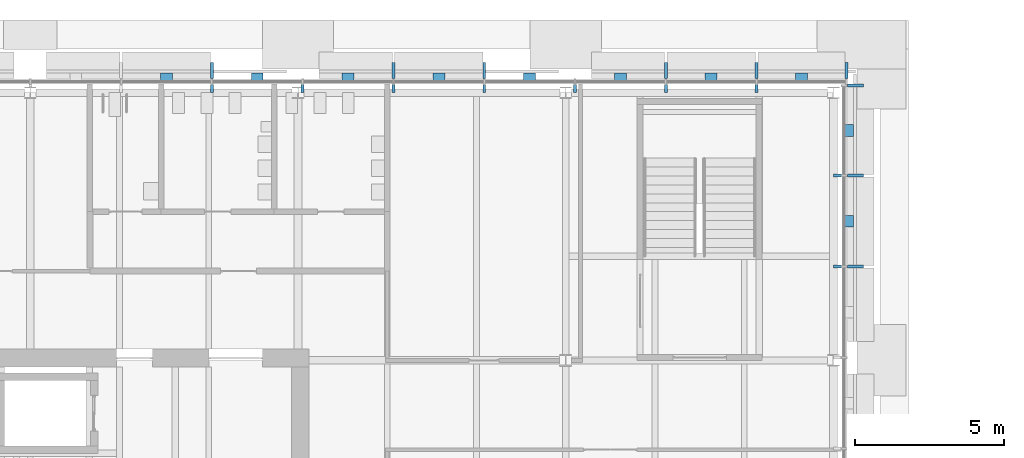
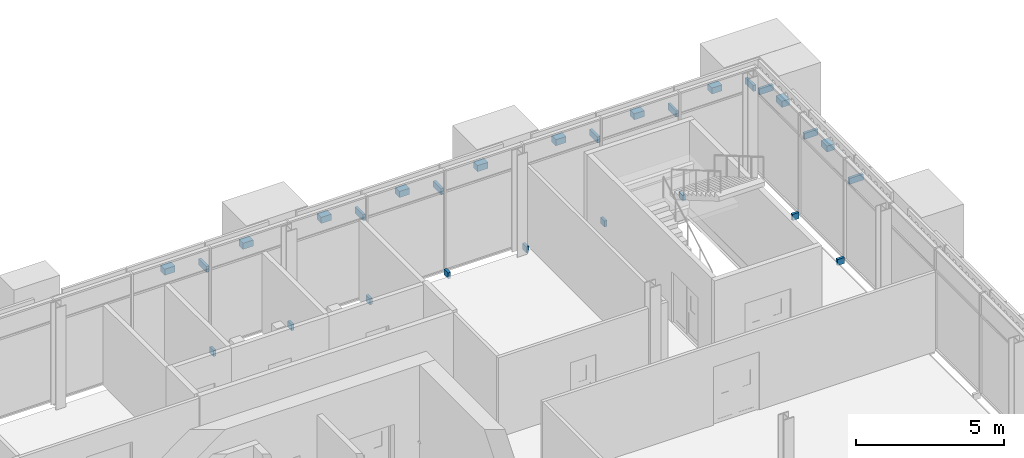
# One storey, part 136 of 153: 28 discrete accessories.
"""IFC4 building model written with IfcOpenShell, lengths in metres."""

from ifc_helpers import new_model, si_unit, direction, frame, origin, origin_2d, place, context, subcontext, project, spatial, rectangle, extrude, material, type_object, element, save


model = new_model("IFC4")

# Units and contexts
model_context = context("Model", 3, precision=1e-05, world=origin(), true_north=direction((0.0, 1.0)))
body_context = subcontext(model_context, "Body", "Model", "MODEL_VIEW")
ifc_project = project(units=[si_unit("LENGTHUNIT", "METRE"), si_unit("AREAUNIT", "SQUARE_METRE"), si_unit("VOLUMEUNIT", "CUBIC_METRE"), si_unit("PLANEANGLEUNIT", "RADIAN"), si_unit("MASSUNIT", "GRAM", prefix="KILO")], contexts=[model_context])

# Site, building, storey
site_placement = place(None, origin())
site = spatial("IfcSite", under=ifc_project, at=site_placement, CompositionType="ELEMENT")
building_placement = place(site_placement, origin())
building = spatial("IfcBuilding", under=site, at=building_placement, Name="Baradari Gate Terminus", CompositionType="ELEMENT")
storey_placement = place(building_placement, frame((0.0, 0.0, 11.699951171875)))
storey = spatial("IfcBuildingStorey", under=building, at=storey_placement, Name="L02", CompositionType="ELEMENT", Elevation=11.699951171875)

# Discrete accessories
ifc_material_1 = material(Name="Steel S275", Category="steel")
discrete_accessory_type_1 = type_object("IfcDiscreteAccessoryType", Name="Chhajja bracket BK-3 galvanised steel", PredefinedType="BRACKET", material=ifc_material_1)
for number, where, z_axis, x_axis, name in (
    (1, (42.1044921875, 144.739990234375, 3.08251953125), (0.0, 0.0, 1.0), (0.0, 1.0, 0.0), "Chhajja bracket BK-3 L02/TN mullion 12"),
    (2, (48.208984375, 144.739990234375, 3.08251953125), (0.0, 0.0, 1.0), (0.0, 1.0, 0.0), "Chhajja bracket BK-3 L02/TN mullion 14"),
    (3, (51.26123046875, 144.739990234375, 3.08251953125), (0.0, 0.0, 1.0), (0.0, 1.0, 0.0), "Chhajja bracket BK-3 L02/TN mullion 15"),
    (4, (57.365478515625, 144.739990234375, 3.08251953125), (0.0, 0.0, 1.0), (0.0, 1.0, 0.0), "Chhajja bracket BK-3 L02/TN mullion 17"),
    (5, (60.417724609375, 144.739990234375, 3.08251953125), (0.0, 0.0, 1.0), (0.0, 1.0, 0.0), "Chhajja bracket BK-3 L02/TN mullion 18"),
    (6, (63.4375, 144.739990234375, 3.08251953125), (0.0, 0.0, 1.0), (0.0, 1.0, 0.0), "Chhajja bracket BK-3 L02/TN mullion 19"),
    (7, (63.739990234375, 138.14990234375, 3.08251953125), (0.0, 0.0, 1.0), (1.0, 0.0, 0.0), "Chhajja bracket BK-3 L02/TE mullion 8"),
    (8, (63.739990234375, 141.2099609375, 3.08251953125), (0.0, 0.0, 1.0), (1.0, 0.0, 0.0), "Chhajja bracket BK-3 L02/TE mullion 9"),
    (9, (63.739990234375, 144.237548828125, 3.08251953125), (0.0, 0.0, 1.0), (1.0, 0.0, 0.0), "Chhajja bracket BK-3 L02/TE mullion 10"),
):
    element("IfcDiscreteAccessory", number, at=place(storey_placement, frame(where, z_axis=z_axis, x_axis=x_axis)), inside=storey, type_object=discrete_accessory_type_1, Name=name, PredefinedType="BRACKET", context=body_context, shape_type="SweptSolid", body=[
        extrude(rectangle(XDim=0.5400390625, YDim=0.10009765625, at=origin_2d()), origin(), (0.0, 0.0, 1.0), 0.25),
    ])
ifc_material_2 = material(Name="Aluminium 6063-T6", Category="aluminium")
discrete_accessory_type_2 = type_object("IfcDiscreteAccessoryType", Name="Curtain wall bracket BK-1 100x250", PredefinedType="BRACKET", material=ifc_material_2)
for number, where, z_axis, x_axis, name in (
    (10, (42.1044921875, 144.135009765625, -0.099853515625), (0.0, 0.0, 1.0), (0.0, 1.0, 0.0), "Curtain wall bracket BK-1 L02/TN mullion 12"),
    (11, (45.15673828125, 144.135009765625, -0.099853515625), (0.0, 0.0, 1.0), (0.0, 1.0, 0.0), "Curtain wall bracket BK-1 L02/TN mullion 13"),
    (12, (48.208984375, 144.135009765625, -0.099853515625), (0.0, 0.0, 1.0), (0.0, 1.0, 0.0), "Curtain wall bracket BK-1 L02/TN mullion 14"),
    (13, (51.26123046875, 144.135009765625, -0.099853515625), (0.0, 0.0, 1.0), (0.0, 1.0, 0.0), "Curtain wall bracket BK-1 L02/TN mullion 15"),
    (14, (54.313232421875, 144.135009765625, -0.099853515625), (0.0, 0.0, 1.0), (0.0, 1.0, 0.0), "Curtain wall bracket BK-1 L02/TN mullion 16"),
    (15, (57.365478515625, 144.135009765625, -0.099853515625), (0.0, 0.0, 1.0), (0.0, 1.0, 0.0), "Curtain wall bracket BK-1 L02/TN mullion 17"),
    (16, (60.417724609375, 144.135009765625, -0.099853515625), (0.0, 0.0, 1.0), (0.0, 1.0, 0.0), "Curtain wall bracket BK-1 L02/TN mullion 18"),
    (17, (63.135009765625, 138.14990234375, -0.099853515625), (0.0, 0.0, 1.0), (1.0, 0.0, 0.0), "Curtain wall bracket BK-1 L02/TE mullion 8"),
    (18, (63.135009765625, 141.2099609375, -0.099853515625), (0.0, 0.0, 1.0), (1.0, 0.0, 0.0), "Curtain wall bracket BK-1 L02/TE mullion 9"),
):
    element("IfcDiscreteAccessory", number, at=place(storey_placement, frame(where, z_axis=z_axis, x_axis=x_axis)), inside=storey, type_object=discrete_accessory_type_2, Name=name, PredefinedType="BRACKET", context=body_context, shape_type="SweptSolid", body=[
        extrude(rectangle(XDim=0.27001953125, YDim=0.10009765625, at=origin_2d()), origin(), (0.0, 0.0, 1.0), 0.25),
    ])
ifc_material_3 = material(Name="Stainless steel 316", Category="steel")
discrete_accessory_type_3 = type_object("IfcDiscreteAccessoryType", Name="Jali screen bracket BK-2 stainless steel", PredefinedType="BRACKET", material=ifc_material_3)
for number, where, z_axis, x_axis, name in (
    (19, (40.578369140625, 144.527587890625, 3.60888671875), (0.0, 0.0, 1.0), (0.0, 1.0, 0.0), "Jali screen bracket BK-2 L02/TN bay 11"),
    (20, (43.630615234375, 144.527587890625, 3.60888671875), (0.0, 0.0, 1.0), (0.0, 1.0, 0.0), "Jali screen bracket BK-2 L02/TN bay 12"),
    (21, (46.682861328125, 144.527587890625, 3.60888671875), (0.0, 0.0, 1.0), (0.0, 1.0, 0.0), "Jali screen bracket BK-2 L02/TN bay 13"),
    (22, (49.735107421875, 144.527587890625, 3.60888671875), (0.0, 0.0, 1.0), (0.0, 1.0, 0.0), "Jali screen bracket BK-2 L02/TN bay 14"),
    (23, (52.787109375, 144.527587890625, 3.60888671875), (0.0, 0.0, 1.0), (0.0, 1.0, 0.0), "Jali screen bracket BK-2 L02/TN bay 15"),
    (24, (55.83935546875, 144.527587890625, 3.60888671875), (0.0, 0.0, 1.0), (0.0, 1.0, 0.0), "Jali screen bracket BK-2 L02/TN bay 16"),
    (25, (58.8916015625, 144.527587890625, 3.60888671875), (0.0, 0.0, 1.0), (0.0, 1.0, 0.0), "Jali screen bracket BK-2 L02/TN bay 17"),
    (26, (61.927734375, 144.527587890625, 3.60888671875), (0.0, 0.0, 1.0), (0.0, 1.0, 0.0), "Jali screen bracket BK-2 L02/TN bay 18"),
    (27, (63.527587890625, 139.679931640625, 3.60888671875), (0.0, 0.0, 1.0), (1.0, 0.0, 0.0), "Jali screen bracket BK-2 L02/TE bay 8"),
    (28, (63.527587890625, 142.7236328125, 3.60888671875), (0.0, 0.0, 1.0), (1.0, 0.0, 0.0), "Jali screen bracket BK-2 L02/TE bay 9"),
):
    element("IfcDiscreteAccessory", number, at=place(storey_placement, frame(where, z_axis=z_axis, x_axis=x_axis)), inside=storey, type_object=discrete_accessory_type_3, Name=name, PredefinedType="BRACKET", context=body_context, shape_type="SweptSolid", body=[
        extrude(rectangle(XDim=0.284912109375, YDim=0.39990234375, at=origin_2d()), origin(), (0.0, 0.0, 1.0), 0.25),
    ])

save(model, "model.ifc")
